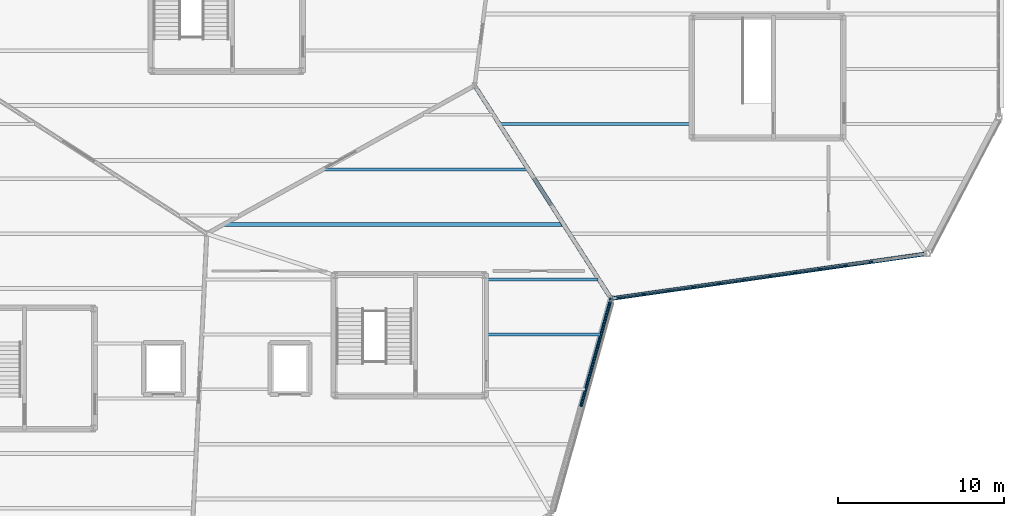
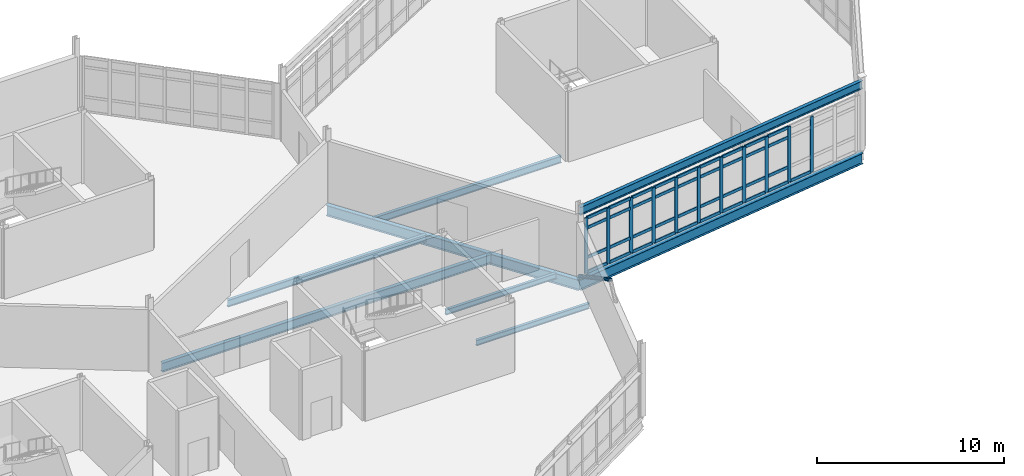
# One storey, part 63 of 114: 49 members, 8 beams, 1 element without a shape of its own.
"""IFC4 building model written with IfcOpenShell, lengths in metres."""

from ifc_helpers import new_model, si_unit, direction, frame, origin, origin_2d, place, context, subcontext, project, spatial, rectangle, hollow_circle, i_section, extrude, material, material_profile, profile_set, type_object, element, aggregate, save


model = new_model("IFC4")

# Units and contexts
model_context = context("Model", 3, precision=1e-05, world=origin(), true_north=direction((0.0, 1.0)))
body_context = subcontext(model_context, "Body", "Model", "MODEL_VIEW")
ifc_project = project(units=[si_unit("LENGTHUNIT", "METRE"), si_unit("AREAUNIT", "SQUARE_METRE"), si_unit("VOLUMEUNIT", "CUBIC_METRE"), si_unit("PLANEANGLEUNIT", "RADIAN"), si_unit("MASSUNIT", "GRAM", prefix="KILO")], contexts=[model_context])

# Site, building, storey
site_placement = place(None, origin())
site = spatial("IfcSite", under=ifc_project, at=site_placement, CompositionType="ELEMENT")
building_placement = place(site_placement, origin())
building = spatial("IfcBuilding", under=site, at=building_placement, Name="Tameran Prism Museum", CompositionType="ELEMENT")
storey_placement = place(building_placement, frame((0.0, 0.0, 10.199951171875)))
storey = spatial("IfcBuildingStorey", under=building, at=storey_placement, Name="L02", CompositionType="ELEMENT", Elevation=10.199951171875)

# Beams
ifc_material_1 = material(Name="Steel Grade 300PLUS (300 MPa)", Category="steel")
ifc_material_profile_1 = material_profile(ifc_material_1, i_section(OverallWidth=0.172119140625, OverallDepth=0.35888671875, WebThickness=0.008056640625, FlangeThickness=0.012939453125, FilletRadius=0.011474609375, at=origin_2d()))
ifc_profile_set_1 = profile_set([ifc_material_profile_1])
beam_type_1 = type_object("IfcBeamType", Name="BM-J360A", PredefinedType="JOIST", material=ifc_profile_set_1)
beam_1_placement = place(storey_placement, frame((135.47998046875, 86.35009765625, -0.37939453125), z_axis=(1.0, 0.0, 0.0), x_axis=(0.0, 1.0, 0.0)))
element("IfcBeam", 1, at=beam_1_placement, inside=storey, type_object=beam_type_1, Name="Floor Beam BM-0828", PredefinedType="JOIST", context=body_context, shape_type="SweptSolid", body=[
    extrude(i_section(OverallWidth=0.172119140625, OverallDepth=0.35888671875, WebThickness=0.008056640625, FlangeThickness=0.012939453125, FilletRadius=0.011474609375, at=origin_2d()), origin(), (0.0, 0.0, 1.0), 6.8359375),
])
ifc_material_2 = material(Name="Steel Grade 300PLUS (300 MPa)", Category="steel")
ifc_material_profile_2 = material_profile(ifc_material_2, i_section(OverallWidth=0.1708984375, OverallDepth=0.35595703125, WebThickness=0.00732421875, FlangeThickness=0.011474609375, FilletRadius=0.011474609375, at=origin_2d()))
ifc_profile_set_2 = profile_set([ifc_material_profile_2])
beam_type_2 = type_object("IfcBeamType", Name="BM-J360B", PredefinedType="JOIST", material=ifc_profile_set_2)
beam_2_placement = place(storey_placement, frame((135.47998046875, 83.050048828125, -0.3779296875), z_axis=(1.0, 0.0, 0.0), x_axis=(0.0, 1.0, 0.0)))
element("IfcBeam", 2, at=beam_2_placement, inside=storey, type_object=beam_type_2, Name="Floor Beam BM-0826", PredefinedType="JOIST", context=body_context, shape_type="SweptSolid", body=[
    extrude(i_section(OverallWidth=0.1708984375, OverallDepth=0.35595703125, WebThickness=0.00732421875, FlangeThickness=0.011474609375, FilletRadius=0.011474609375, at=origin_2d()), origin(), (0.0, 0.0, 1.0), 6.97802734375),
])
ifc_material_3 = material(Name="Steel Grade 300PLUS (300 MPa)", Category="steel")
ifc_material_profile_3 = material_profile(ifc_material_3, i_section(OverallWidth=0.18994140625, OverallDepth=0.4541015625, WebThickness=0.008544921875, FlangeThickness=0.0126953125, FilletRadius=0.011474609375, at=origin_2d()))
ifc_profile_set_3 = profile_set([ifc_material_profile_3])
beam_type_3 = type_object("IfcBeamType", Name="BM-J460B", PredefinedType="JOIST", material=ifc_profile_set_3)
beam_3_placement = place(storey_placement, frame((125.846923828125, 92.949951171875, -0.427001953125), z_axis=(1.0, 0.0, 0.0), x_axis=(0.0, 1.0, 0.0)))
element("IfcBeam", 3, at=beam_3_placement, inside=storey, type_object=beam_type_3, Name="Floor Beam BM-0830", PredefinedType="JOIST", context=body_context, shape_type="SweptSolid", body=[
    extrude(i_section(OverallWidth=0.18994140625, OverallDepth=0.4541015625, WebThickness=0.008544921875, FlangeThickness=0.0126953125, FilletRadius=0.011474609375, at=origin_2d()), origin(), (0.0, 0.0, 1.0), 12.240966796875),
])
beam_4_placement = place(storey_placement, frame((136.4208984375, 95.699951171875, -0.427001953125), z_axis=(1.0, 0.0, 0.0), x_axis=(0.0, 1.0, 0.0)))
element("IfcBeam", 4, at=beam_4_placement, inside=storey, type_object=beam_type_3, Name="Floor Beam BM-0843", PredefinedType="JOIST", context=body_context, shape_type="SweptSolid", body=[
    extrude(i_section(OverallWidth=0.18994140625, OverallDepth=0.4541015625, WebThickness=0.008544921875, FlangeThickness=0.0126953125, FilletRadius=0.011474609375, at=origin_2d()), origin(), (0.0, 0.0, 1.0), 11.59912109375),
])
ifc_material_4 = material(Name="Steel Grade 300PLUS (300 MPa)", Category="steel")
ifc_material_profile_4 = material_profile(ifc_material_4, i_section(OverallWidth=0.208984375, OverallDepth=0.528076171875, WebThickness=0.009521484375, FlangeThickness=0.01318359375, FilletRadius=0.013916015625, at=origin_2d()))
ifc_profile_set_4 = profile_set([ifc_material_profile_4])
beam_type_4 = type_object("IfcBeamType", Name="BM-SP530B", PredefinedType="SPANDREL", material=ifc_profile_set_4)
beam_5_placement = place(storey_placement, frame((143.10009765625, 85.199951171875, 4.256103515625), z_axis=(0.990053795421, 0.140689310798, 0.0), x_axis=(-0.140689310798, 0.990053795421, 0.0)))
element("IfcBeam", 5, at=beam_5_placement, inside=storey, type_object=beam_type_4, Name="Roof Ring Beam RB-0674", PredefinedType="SPANDREL", context=body_context, shape_type="SweptSolid", body=[
    extrude(i_section(OverallWidth=0.208984375, OverallDepth=0.528076171875, WebThickness=0.009521484375, FlangeThickness=0.01318359375, FilletRadius=0.013916015625, at=origin_2d()), origin(), (0.0, 0.0, 1.0), 19.19091796875),
])
ifc_material_5 = material(Name="Steel Grade 350 (350 MPa)", Category="steel")
ifc_material_profile_5 = material_profile(ifc_material_5, i_section(OverallWidth=0.25, OverallDepth=0.699951171875, WebThickness=0.010009765625, FlangeThickness=0.02001953125, at=origin_2d()))
ifc_profile_set_5 = profile_set([ifc_material_profile_5])
beam_type_5 = type_object("IfcBeamType", Name="BM-SP700", PredefinedType="SPANDREL", material=ifc_profile_set_5)
beam_6_placement = place(storey_placement, frame((143.10009765625, 85.199951171875, -0.550048828125), z_axis=(-0.539434641352, 0.842027474439, 0.0), x_axis=(-0.842027474439, -0.539434641352, 0.0)))
element("IfcBeam", 6, at=beam_6_placement, inside=storey, type_object=beam_type_5, Name="Perimeter Spandrel SP-0662", PredefinedType="SPANDREL", context=body_context, shape_type="SweptSolid", body=[
    extrude(i_section(OverallWidth=0.25, OverallDepth=0.699951171875, WebThickness=0.010009765625, FlangeThickness=0.02001953125, at=origin_2d()), origin(), (0.0, 0.0, 1.0), 15.201416015625),
])
beam_7_placement = place(storey_placement, frame((143.10009765625, 85.199951171875, -0.550048828125), z_axis=(0.990053795421, 0.140689310798, 0.0), x_axis=(-0.140689310798, 0.990053795421, 0.0)))
element("IfcBeam", 7, at=beam_7_placement, inside=storey, type_object=beam_type_5, Name="Perimeter Spandrel SP-0669", PredefinedType="SPANDREL", context=body_context, shape_type="SweptSolid", body=[
    extrude(i_section(OverallWidth=0.25, OverallDepth=0.699951171875, WebThickness=0.010009765625, FlangeThickness=0.02001953125, at=origin_2d()), origin(), (0.0, 0.0, 1.0), 19.19091796875),
])
ifc_material_6 = material(Name="Steel Grade 300PLUS (300 MPa)", Category="steel")
ifc_material_profile_6 = material_profile(ifc_material_6, i_section(OverallWidth=0.22802734375, OverallDepth=0.60693359375, WebThickness=0.01123046875, FlangeThickness=0.017333984375, FilletRadius=0.013916015625, at=origin_2d()))
ifc_profile_set_6 = profile_set([ifc_material_profile_6])
beam_type_6 = type_object("IfcBeamType", Name="BM-UB610B", PredefinedType="BEAM", material=ifc_profile_set_6)
beam_8_placement = place(storey_placement, frame((119.8779296875, 89.64990234375, -0.50341796875), z_axis=(1.0, 0.0, 0.0), x_axis=(0.0, 1.0, 0.0)))
element("IfcBeam", 8, at=beam_8_placement, inside=storey, type_object=beam_type_6, Name="Floor Beam BM-0829", PredefinedType="BEAM", context=body_context, shape_type="SweptSolid", body=[
    extrude(i_section(OverallWidth=0.22802734375, OverallDepth=0.60693359375, WebThickness=0.01123046875, FlangeThickness=0.017333984375, FilletRadius=0.013916015625, at=origin_2d()), origin(), (0.0, 0.0, 1.0), 20.323974609375),
])

# Curtain wall, members
ifc_material_7 = material(Name="Anodised Aluminium 6063-T6 and Cyclone Solar Glass", Category="aluminium")
curtain_wall_type = type_object("IfcCurtainWallType", Name="CW-FAC-1843x362", PredefinedType="USERDEFINED", material=ifc_material_7)
curtain_wall_placement = place(storey_placement, origin())
curtain_wall = element("IfcCurtainWall", 9, at=curtain_wall_placement, inside=storey, type_object=curtain_wall_type, Name="Unitised Curtain Wall CW-102", ObjectType="UNITISED CURTAIN WALL", PredefinedType="USERDEFINED")
ifc_material_8 = material(Name="Anodised Aluminium Alloy 6063-T6", Category="aluminium")
ifc_material_profile_7 = material_profile(ifc_material_8, rectangle(XDim=0.080078125, YDim=0.219970703125, at=origin_2d()))
ifc_profile_set_7 = profile_set([ifc_material_profile_7])
member_type_1 = type_object("IfcMemberType", Name="CW-MUL-D", PredefinedType="MULLION", material=ifc_profile_set_7)
member_1_placement = place(storey_placement, frame((158.7119140625, 87.418701171875, 0.0), z_axis=(0.0, 0.0, 1.0), x_axis=(0.1407452685, -0.990045842067, 0.0)))
member_1 = element("IfcMember", 10, at=member_1_placement, type_object=member_type_1, Name="CW-102 mullion 3", PredefinedType="MULLION", context=body_context, shape_type="SweptSolid", body=[
    extrude(rectangle(XDim=0.080078125, YDim=0.219970703125, at=origin_2d()), origin(), (0.0, 0.0, 1.0), 3.6201171875),
])
member_2_placement = place(storey_placement, frame((157.191162109375, 87.202392578125, 0.0), z_axis=(0.0, 0.0, 1.0), x_axis=(0.1407452685, -0.990045842067, 0.0)))
member_2 = element("IfcMember", 11, at=member_2_placement, type_object=member_type_1, Name="CW-102 mullion 4", PredefinedType="MULLION", context=body_context, shape_type="SweptSolid", body=[
    extrude(rectangle(XDim=0.080078125, YDim=0.219970703125, at=origin_2d()), origin(), (0.0, 0.0, 1.0), 3.6201171875),
])
member_3_placement = place(storey_placement, frame((155.670654296875, 86.986328125, 0.0), z_axis=(0.0, 0.0, 1.0), x_axis=(0.1407452685, -0.990045842067, 0.0)))
member_3 = element("IfcMember", 12, at=member_3_placement, type_object=member_type_1, Name="CW-102 mullion 5", PredefinedType="MULLION", context=body_context, shape_type="SweptSolid", body=[
    extrude(rectangle(XDim=0.080078125, YDim=0.219970703125, at=origin_2d()), origin(), (0.0, 0.0, 1.0), 3.6201171875),
])
member_4_placement = place(storey_placement, frame((154.150146484375, 86.770263671875, 0.0), z_axis=(0.0, 0.0, 1.0), x_axis=(0.1407452685, -0.990045842067, 0.0)))
member_4 = element("IfcMember", 13, at=member_4_placement, type_object=member_type_1, Name="CW-102 mullion 6", PredefinedType="MULLION", context=body_context, shape_type="SweptSolid", body=[
    extrude(rectangle(XDim=0.080078125, YDim=0.219970703125, at=origin_2d()), origin(), (0.0, 0.0, 1.0), 3.6201171875),
])
member_5_placement = place(storey_placement, frame((152.62939453125, 86.553955078125, 0.0), z_axis=(0.0, 0.0, 1.0), x_axis=(0.1407452685, -0.990045842067, 0.0)))
member_5 = element("IfcMember", 14, at=member_5_placement, type_object=member_type_1, Name="CW-102 mullion 7", PredefinedType="MULLION", context=body_context, shape_type="SweptSolid", body=[
    extrude(rectangle(XDim=0.080078125, YDim=0.219970703125, at=origin_2d()), origin(), (0.0, 0.0, 1.0), 3.6201171875),
])
member_6_placement = place(storey_placement, frame((151.10888671875, 86.337890625, 0.0), z_axis=(0.0, 0.0, 1.0), x_axis=(0.1407452685, -0.990045842067, 0.0)))
member_6 = element("IfcMember", 15, at=member_6_placement, type_object=member_type_1, Name="CW-102 mullion 8", PredefinedType="MULLION", context=body_context, shape_type="SweptSolid", body=[
    extrude(rectangle(XDim=0.080078125, YDim=0.219970703125, at=origin_2d()), origin(), (0.0, 0.0, 1.0), 3.6201171875),
])
member_7_placement = place(storey_placement, frame((149.58837890625, 86.12158203125, 0.0), z_axis=(0.0, 0.0, 1.0), x_axis=(0.1407452685, -0.990045842067, 0.0)))
member_7 = element("IfcMember", 16, at=member_7_placement, type_object=member_type_1, Name="CW-102 mullion 9", PredefinedType="MULLION", context=body_context, shape_type="SweptSolid", body=[
    extrude(rectangle(XDim=0.080078125, YDim=0.219970703125, at=origin_2d()), origin(), (0.0, 0.0, 1.0), 3.6201171875),
])
member_8_placement = place(storey_placement, frame((148.06787109375, 85.905517578125, 0.0), z_axis=(0.0, 0.0, 1.0), x_axis=(0.1407452685, -0.990045842067, 0.0)))
member_8 = element("IfcMember", 17, at=member_8_placement, type_object=member_type_1, Name="CW-102 mullion 10", PredefinedType="MULLION", context=body_context, shape_type="SweptSolid", body=[
    extrude(rectangle(XDim=0.080078125, YDim=0.219970703125, at=origin_2d()), origin(), (0.0, 0.0, 1.0), 3.6201171875),
])
member_9_placement = place(storey_placement, frame((146.547119140625, 85.689453125, 0.0), z_axis=(0.0, 0.0, 1.0), x_axis=(0.1407452685, -0.990045842067, 0.0)))
member_9 = element("IfcMember", 18, at=member_9_placement, type_object=member_type_1, Name="CW-102 mullion 11", PredefinedType="MULLION", context=body_context, shape_type="SweptSolid", body=[
    extrude(rectangle(XDim=0.080078125, YDim=0.219970703125, at=origin_2d()), origin(), (0.0, 0.0, 1.0), 3.6201171875),
])
member_10_placement = place(storey_placement, frame((145.026611328125, 85.47314453125, 0.0), z_axis=(0.0, 0.0, 1.0), x_axis=(0.1407452685, -0.990045842067, 0.0)))
member_10 = element("IfcMember", 19, at=member_10_placement, type_object=member_type_1, Name="CW-102 mullion 12", PredefinedType="MULLION", context=body_context, shape_type="SweptSolid", body=[
    extrude(rectangle(XDim=0.080078125, YDim=0.219970703125, at=origin_2d()), origin(), (0.0, 0.0, 1.0), 3.6201171875),
])
member_11_placement = place(storey_placement, frame((143.545654296875, 85.2626953125, 0.0), z_axis=(0.0, 0.0, 1.0), x_axis=(0.1407452685, -0.990045842067, 0.0)))
member_11 = element("IfcMember", 20, at=member_11_placement, type_object=member_type_1, Name="CW-102 mullion 13", PredefinedType="MULLION", context=body_context, shape_type="SweptSolid", body=[
    extrude(rectangle(XDim=0.080078125, YDim=0.219970703125, at=origin_2d()), origin(), (0.0, 0.0, 1.0), 3.6201171875),
])
ifc_material_9 = material(Name="Anodised Aluminium Alloy 6063-T6", Category="aluminium")
ifc_material_profile_8 = material_profile(ifc_material_9, rectangle(XDim=0.080078125, YDim=0.195068359375, at=origin_2d()))
ifc_profile_set_8 = profile_set([ifc_material_profile_8])
member_type_2 = type_object("IfcMemberType", Name="CW-TRN-D", PredefinedType="USERDEFINED", material=ifc_profile_set_8)
member_12_placement = place(storey_placement, frame((158.672119140625, 87.4130859375, 0.0400390625), z_axis=(-0.990026495634, -0.140881290248, 0.0), x_axis=(0.140881290248, -0.990026495634, 0.0)))
member_12 = element("IfcMember", 21, at=member_12_placement, type_object=member_type_2, Name="CW-102 transom 3.1", ObjectType="TRANSOM", PredefinedType="USERDEFINED", context=body_context, shape_type="SweptSolid", body=[
    extrude(rectangle(XDim=0.080078125, YDim=0.195068359375, at=origin_2d()), origin(), (0.0, 0.0, 1.0), 1.45556640625),
])
member_13_placement = place(storey_placement, frame((157.151611328125, 87.19677734375, 0.0400390625), z_axis=(-0.990053195139, -0.140693535014, 0.0), x_axis=(0.140693535014, -0.990053195139, 0.0)))
member_13 = element("IfcMember", 22, at=member_13_placement, type_object=member_type_2, Name="CW-102 transom 4.1", ObjectType="TRANSOM", PredefinedType="USERDEFINED", context=body_context, shape_type="SweptSolid", body=[
    extrude(rectangle(XDim=0.080078125, YDim=0.195068359375, at=origin_2d()), origin(), (0.0, 0.0, 1.0), 1.455810546875),
])
member_14_placement = place(storey_placement, frame((157.151611328125, 87.19677734375, 1.0), z_axis=(-0.990053195139, -0.140693535014, 0.0), x_axis=(0.140693535014, -0.990053195139, 0.0)))
member_14 = element("IfcMember", 23, at=member_14_placement, type_object=member_type_2, Name="CW-102 transom 4.2", ObjectType="TRANSOM", PredefinedType="USERDEFINED", context=body_context, shape_type="SweptSolid", body=[
    extrude(rectangle(XDim=0.080078125, YDim=0.195068359375, at=origin_2d()), origin(), (0.0, 0.0, 1.0), 1.455810546875),
])
member_15_placement = place(storey_placement, frame((157.151611328125, 87.19677734375, 2.93994140625), z_axis=(-0.990053195139, -0.140693535014, 0.0), x_axis=(0.140693535014, -0.990053195139, 0.0)))
member_15 = element("IfcMember", 24, at=member_15_placement, type_object=member_type_2, Name="CW-102 transom 4.3", ObjectType="TRANSOM", PredefinedType="USERDEFINED", context=body_context, shape_type="SweptSolid", body=[
    extrude(rectangle(XDim=0.080078125, YDim=0.195068359375, at=origin_2d()), origin(), (0.0, 0.0, 1.0), 1.455810546875),
])
member_16_placement = place(storey_placement, frame((157.151611328125, 87.19677734375, 3.580078125), z_axis=(-0.990053195139, -0.140693535014, 0.0), x_axis=(0.140693535014, -0.990053195139, 0.0)))
member_16 = element("IfcMember", 25, at=member_16_placement, type_object=member_type_2, Name="CW-102 transom 4.4", ObjectType="TRANSOM", PredefinedType="USERDEFINED", context=body_context, shape_type="SweptSolid", body=[
    extrude(rectangle(XDim=0.080078125, YDim=0.195068359375, at=origin_2d()), origin(), (0.0, 0.0, 1.0), 1.455810546875),
])
member_17_placement = place(storey_placement, frame((155.631103515625, 86.980712890625, 0.0400390625), z_axis=(-0.990053195139, -0.140693535014, 0.0), x_axis=(0.140693535014, -0.990053195139, 0.0)))
member_17 = element("IfcMember", 26, at=member_17_placement, type_object=member_type_2, Name="CW-102 transom 5.1", ObjectType="TRANSOM", PredefinedType="USERDEFINED", context=body_context, shape_type="SweptSolid", body=[
    extrude(rectangle(XDim=0.080078125, YDim=0.195068359375, at=origin_2d()), origin(), (0.0, 0.0, 1.0), 1.455810546875),
])
member_18_placement = place(storey_placement, frame((155.631103515625, 86.980712890625, 1.0), z_axis=(-0.990053195139, -0.140693535014, 0.0), x_axis=(0.140693535014, -0.990053195139, 0.0)))
member_18 = element("IfcMember", 27, at=member_18_placement, type_object=member_type_2, Name="CW-102 transom 5.2", ObjectType="TRANSOM", PredefinedType="USERDEFINED", context=body_context, shape_type="SweptSolid", body=[
    extrude(rectangle(XDim=0.080078125, YDim=0.195068359375, at=origin_2d()), origin(), (0.0, 0.0, 1.0), 1.455810546875),
])
member_19_placement = place(storey_placement, frame((155.631103515625, 86.980712890625, 2.93994140625), z_axis=(-0.990053195139, -0.140693535014, 0.0), x_axis=(0.140693535014, -0.990053195139, 0.0)))
member_19 = element("IfcMember", 28, at=member_19_placement, type_object=member_type_2, Name="CW-102 transom 5.3", ObjectType="TRANSOM", PredefinedType="USERDEFINED", context=body_context, shape_type="SweptSolid", body=[
    extrude(rectangle(XDim=0.080078125, YDim=0.195068359375, at=origin_2d()), origin(), (0.0, 0.0, 1.0), 1.455810546875),
])
member_20_placement = place(storey_placement, frame((155.631103515625, 86.980712890625, 3.580078125), z_axis=(-0.990053195139, -0.140693535014, 0.0), x_axis=(0.140693535014, -0.990053195139, 0.0)))
member_20 = element("IfcMember", 29, at=member_20_placement, type_object=member_type_2, Name="CW-102 transom 5.4", ObjectType="TRANSOM", PredefinedType="USERDEFINED", context=body_context, shape_type="SweptSolid", body=[
    extrude(rectangle(XDim=0.080078125, YDim=0.195068359375, at=origin_2d()), origin(), (0.0, 0.0, 1.0), 1.455810546875),
])
member_21_placement = place(storey_placement, frame((154.110595703125, 86.7646484375, 0.0400390625), z_axis=(-0.990029823552, -0.140857901725, 0.0), x_axis=(0.140857901725, -0.990029823552, 0.0)))
member_21 = element("IfcMember", 30, at=member_21_placement, type_object=member_type_2, Name="CW-102 transom 6.1", ObjectType="TRANSOM", PredefinedType="USERDEFINED", context=body_context, shape_type="SweptSolid", body=[
    extrude(rectangle(XDim=0.080078125, YDim=0.195068359375, at=origin_2d()), origin(), (0.0, 0.0, 1.0), 1.455810546875),
])
member_22_placement = place(storey_placement, frame((154.110595703125, 86.7646484375, 1.0), z_axis=(-0.990029823552, -0.140857901725, 0.0), x_axis=(0.140857901725, -0.990029823552, 0.0)))
member_22 = element("IfcMember", 31, at=member_22_placement, type_object=member_type_2, Name="CW-102 transom 6.2", ObjectType="TRANSOM", PredefinedType="USERDEFINED", context=body_context, shape_type="SweptSolid", body=[
    extrude(rectangle(XDim=0.080078125, YDim=0.195068359375, at=origin_2d()), origin(), (0.0, 0.0, 1.0), 1.455810546875),
])
member_23_placement = place(storey_placement, frame((154.110595703125, 86.7646484375, 2.93994140625), z_axis=(-0.990029823552, -0.140857901725, 0.0), x_axis=(0.140857901725, -0.990029823552, 0.0)))
member_23 = element("IfcMember", 32, at=member_23_placement, type_object=member_type_2, Name="CW-102 transom 6.3", ObjectType="TRANSOM", PredefinedType="USERDEFINED", context=body_context, shape_type="SweptSolid", body=[
    extrude(rectangle(XDim=0.080078125, YDim=0.195068359375, at=origin_2d()), origin(), (0.0, 0.0, 1.0), 1.455810546875),
])
member_24_placement = place(storey_placement, frame((154.110595703125, 86.7646484375, 3.580078125), z_axis=(-0.990029823552, -0.140857901725, 0.0), x_axis=(0.140857901725, -0.990029823552, 0.0)))
member_24 = element("IfcMember", 33, at=member_24_placement, type_object=member_type_2, Name="CW-102 transom 6.4", ObjectType="TRANSOM", PredefinedType="USERDEFINED", context=body_context, shape_type="SweptSolid", body=[
    extrude(rectangle(XDim=0.080078125, YDim=0.195068359375, at=origin_2d()), origin(), (0.0, 0.0, 1.0), 1.455810546875),
])
member_25_placement = place(storey_placement, frame((152.58984375, 86.54833984375, 0.0400390625), z_axis=(-0.990053195139, -0.140693535014, 0.0), x_axis=(0.140693535014, -0.990053195139, 0.0)))
member_25 = element("IfcMember", 34, at=member_25_placement, type_object=member_type_2, Name="CW-102 transom 7.1", ObjectType="TRANSOM", PredefinedType="USERDEFINED", context=body_context, shape_type="SweptSolid", body=[
    extrude(rectangle(XDim=0.080078125, YDim=0.195068359375, at=origin_2d()), origin(), (0.0, 0.0, 1.0), 1.455810546875),
])
member_26_placement = place(storey_placement, frame((152.58984375, 86.54833984375, 1.0), z_axis=(-0.990053195139, -0.140693535014, 0.0), x_axis=(0.140693535014, -0.990053195139, 0.0)))
member_26 = element("IfcMember", 35, at=member_26_placement, type_object=member_type_2, Name="CW-102 transom 7.2", ObjectType="TRANSOM", PredefinedType="USERDEFINED", context=body_context, shape_type="SweptSolid", body=[
    extrude(rectangle(XDim=0.080078125, YDim=0.195068359375, at=origin_2d()), origin(), (0.0, 0.0, 1.0), 1.455810546875),
])
member_27_placement = place(storey_placement, frame((152.58984375, 86.54833984375, 2.93994140625), z_axis=(-0.990053195139, -0.140693535014, 0.0), x_axis=(0.140693535014, -0.990053195139, 0.0)))
member_27 = element("IfcMember", 36, at=member_27_placement, type_object=member_type_2, Name="CW-102 transom 7.3", ObjectType="TRANSOM", PredefinedType="USERDEFINED", context=body_context, shape_type="SweptSolid", body=[
    extrude(rectangle(XDim=0.080078125, YDim=0.195068359375, at=origin_2d()), origin(), (0.0, 0.0, 1.0), 1.455810546875),
])
member_28_placement = place(storey_placement, frame((152.58984375, 86.54833984375, 3.580078125), z_axis=(-0.990053195139, -0.140693535014, 0.0), x_axis=(0.140693535014, -0.990053195139, 0.0)))
member_28 = element("IfcMember", 37, at=member_28_placement, type_object=member_type_2, Name="CW-102 transom 7.4", ObjectType="TRANSOM", PredefinedType="USERDEFINED", context=body_context, shape_type="SweptSolid", body=[
    extrude(rectangle(XDim=0.080078125, YDim=0.195068359375, at=origin_2d()), origin(), (0.0, 0.0, 1.0), 1.455810546875),
])
member_29_placement = place(storey_placement, frame((151.0693359375, 86.332275390625, 0.0400390625), z_axis=(-0.990029823552, -0.140857901725, 0.0), x_axis=(0.140857901725, -0.990029823552, 0.0)))
member_29 = element("IfcMember", 38, at=member_29_placement, type_object=member_type_2, Name="CW-102 transom 8.1", ObjectType="TRANSOM", PredefinedType="USERDEFINED", context=body_context, shape_type="SweptSolid", body=[
    extrude(rectangle(XDim=0.080078125, YDim=0.195068359375, at=origin_2d()), origin(), (0.0, 0.0, 1.0), 1.455810546875),
])
member_30_placement = place(storey_placement, frame((151.0693359375, 86.332275390625, 1.0), z_axis=(-0.990029823552, -0.140857901725, 0.0), x_axis=(0.140857901725, -0.990029823552, 0.0)))
member_30 = element("IfcMember", 39, at=member_30_placement, type_object=member_type_2, Name="CW-102 transom 8.2", ObjectType="TRANSOM", PredefinedType="USERDEFINED", context=body_context, shape_type="SweptSolid", body=[
    extrude(rectangle(XDim=0.080078125, YDim=0.195068359375, at=origin_2d()), origin(), (0.0, 0.0, 1.0), 1.455810546875),
])
member_31_placement = place(storey_placement, frame((151.0693359375, 86.332275390625, 2.93994140625), z_axis=(-0.990029823552, -0.140857901725, 0.0), x_axis=(0.140857901725, -0.990029823552, 0.0)))
member_31 = element("IfcMember", 40, at=member_31_placement, type_object=member_type_2, Name="CW-102 transom 8.3", ObjectType="TRANSOM", PredefinedType="USERDEFINED", context=body_context, shape_type="SweptSolid", body=[
    extrude(rectangle(XDim=0.080078125, YDim=0.195068359375, at=origin_2d()), origin(), (0.0, 0.0, 1.0), 1.455810546875),
])
member_32_placement = place(storey_placement, frame((151.0693359375, 86.332275390625, 3.580078125), z_axis=(-0.990029823552, -0.140857901725, 0.0), x_axis=(0.140857901725, -0.990029823552, 0.0)))
member_32 = element("IfcMember", 41, at=member_32_placement, type_object=member_type_2, Name="CW-102 transom 8.4", ObjectType="TRANSOM", PredefinedType="USERDEFINED", context=body_context, shape_type="SweptSolid", body=[
    extrude(rectangle(XDim=0.080078125, YDim=0.195068359375, at=origin_2d()), origin(), (0.0, 0.0, 1.0), 1.455810546875),
])
member_33_placement = place(storey_placement, frame((149.548828125, 86.115966796875, 0.0400390625), z_axis=(-0.990053195139, -0.140693535014, 0.0), x_axis=(0.140693535014, -0.990053195139, 0.0)))
member_33 = element("IfcMember", 42, at=member_33_placement, type_object=member_type_2, Name="CW-102 transom 9.1", ObjectType="TRANSOM", PredefinedType="USERDEFINED", context=body_context, shape_type="SweptSolid", body=[
    extrude(rectangle(XDim=0.080078125, YDim=0.195068359375, at=origin_2d()), origin(), (0.0, 0.0, 1.0), 1.455810546875),
])
member_34_placement = place(storey_placement, frame((149.548828125, 86.115966796875, 1.0), z_axis=(-0.990053195139, -0.140693535014, 0.0), x_axis=(0.140693535014, -0.990053195139, 0.0)))
member_34 = element("IfcMember", 43, at=member_34_placement, type_object=member_type_2, Name="CW-102 transom 9.2", ObjectType="TRANSOM", PredefinedType="USERDEFINED", context=body_context, shape_type="SweptSolid", body=[
    extrude(rectangle(XDim=0.080078125, YDim=0.195068359375, at=origin_2d()), origin(), (0.0, 0.0, 1.0), 1.455810546875),
])
member_35_placement = place(storey_placement, frame((149.548828125, 86.115966796875, 2.93994140625), z_axis=(-0.990053195139, -0.140693535014, 0.0), x_axis=(0.140693535014, -0.990053195139, 0.0)))
member_35 = element("IfcMember", 44, at=member_35_placement, type_object=member_type_2, Name="CW-102 transom 9.3", ObjectType="TRANSOM", PredefinedType="USERDEFINED", context=body_context, shape_type="SweptSolid", body=[
    extrude(rectangle(XDim=0.080078125, YDim=0.195068359375, at=origin_2d()), origin(), (0.0, 0.0, 1.0), 1.455810546875),
])
member_36_placement = place(storey_placement, frame((149.548828125, 86.115966796875, 3.580078125), z_axis=(-0.990053195139, -0.140693535014, 0.0), x_axis=(0.140693535014, -0.990053195139, 0.0)))
member_36 = element("IfcMember", 45, at=member_36_placement, type_object=member_type_2, Name="CW-102 transom 9.4", ObjectType="TRANSOM", PredefinedType="USERDEFINED", context=body_context, shape_type="SweptSolid", body=[
    extrude(rectangle(XDim=0.080078125, YDim=0.195068359375, at=origin_2d()), origin(), (0.0, 0.0, 1.0), 1.455810546875),
])
member_37_placement = place(storey_placement, frame((148.028076171875, 85.89990234375, 0.0400390625), z_axis=(-0.990053195139, -0.140693535014, 0.0), x_axis=(0.140693535014, -0.990053195139, 0.0)))
member_37 = element("IfcMember", 46, at=member_37_placement, type_object=member_type_2, Name="CW-102 transom 10.1", ObjectType="TRANSOM", PredefinedType="USERDEFINED", context=body_context, shape_type="SweptSolid", body=[
    extrude(rectangle(XDim=0.080078125, YDim=0.195068359375, at=origin_2d()), origin(), (0.0, 0.0, 1.0), 1.455810546875),
])
member_38_placement = place(storey_placement, frame((148.028076171875, 85.89990234375, 1.0), z_axis=(-0.990053195139, -0.140693535014, 0.0), x_axis=(0.140693535014, -0.990053195139, 0.0)))
member_38 = element("IfcMember", 47, at=member_38_placement, type_object=member_type_2, Name="CW-102 transom 10.2", ObjectType="TRANSOM", PredefinedType="USERDEFINED", context=body_context, shape_type="SweptSolid", body=[
    extrude(rectangle(XDim=0.080078125, YDim=0.195068359375, at=origin_2d()), origin(), (0.0, 0.0, 1.0), 1.455810546875),
])
member_39_placement = place(storey_placement, frame((148.028076171875, 85.89990234375, 2.93994140625), z_axis=(-0.990053195139, -0.140693535014, 0.0), x_axis=(0.140693535014, -0.990053195139, 0.0)))
member_39 = element("IfcMember", 48, at=member_39_placement, type_object=member_type_2, Name="CW-102 transom 10.3", ObjectType="TRANSOM", PredefinedType="USERDEFINED", context=body_context, shape_type="SweptSolid", body=[
    extrude(rectangle(XDim=0.080078125, YDim=0.195068359375, at=origin_2d()), origin(), (0.0, 0.0, 1.0), 1.455810546875),
])
member_40_placement = place(storey_placement, frame((148.028076171875, 85.89990234375, 3.580078125), z_axis=(-0.990053195139, -0.140693535014, 0.0), x_axis=(0.140693535014, -0.990053195139, 0.0)))
member_40 = element("IfcMember", 49, at=member_40_placement, type_object=member_type_2, Name="CW-102 transom 10.4", ObjectType="TRANSOM", PredefinedType="USERDEFINED", context=body_context, shape_type="SweptSolid", body=[
    extrude(rectangle(XDim=0.080078125, YDim=0.195068359375, at=origin_2d()), origin(), (0.0, 0.0, 1.0), 1.455810546875),
])
member_41_placement = place(storey_placement, frame((146.507568359375, 85.68359375, 0.0400390625), z_axis=(-0.990053195139, -0.140693535014, 0.0), x_axis=(0.140693535014, -0.990053195139, 0.0)))
member_41 = element("IfcMember", 50, at=member_41_placement, type_object=member_type_2, Name="CW-102 transom 11.1", ObjectType="TRANSOM", PredefinedType="USERDEFINED", context=body_context, shape_type="SweptSolid", body=[
    extrude(rectangle(XDim=0.080078125, YDim=0.195068359375, at=origin_2d()), origin(), (0.0, 0.0, 1.0), 1.455810546875),
])
member_42_placement = place(storey_placement, frame((146.507568359375, 85.68359375, 1.0), z_axis=(-0.990053195139, -0.140693535014, 0.0), x_axis=(0.140693535014, -0.990053195139, 0.0)))
member_42 = element("IfcMember", 51, at=member_42_placement, type_object=member_type_2, Name="CW-102 transom 11.2", ObjectType="TRANSOM", PredefinedType="USERDEFINED", context=body_context, shape_type="SweptSolid", body=[
    extrude(rectangle(XDim=0.080078125, YDim=0.195068359375, at=origin_2d()), origin(), (0.0, 0.0, 1.0), 1.455810546875),
])
member_43_placement = place(storey_placement, frame((146.507568359375, 85.68359375, 2.93994140625), z_axis=(-0.990053195139, -0.140693535014, 0.0), x_axis=(0.140693535014, -0.990053195139, 0.0)))
member_43 = element("IfcMember", 52, at=member_43_placement, type_object=member_type_2, Name="CW-102 transom 11.3", ObjectType="TRANSOM", PredefinedType="USERDEFINED", context=body_context, shape_type="SweptSolid", body=[
    extrude(rectangle(XDim=0.080078125, YDim=0.195068359375, at=origin_2d()), origin(), (0.0, 0.0, 1.0), 1.455810546875),
])
member_44_placement = place(storey_placement, frame((146.507568359375, 85.68359375, 3.580078125), z_axis=(-0.990053195139, -0.140693535014, 0.0), x_axis=(0.140693535014, -0.990053195139, 0.0)))
member_44 = element("IfcMember", 53, at=member_44_placement, type_object=member_type_2, Name="CW-102 transom 11.4", ObjectType="TRANSOM", PredefinedType="USERDEFINED", context=body_context, shape_type="SweptSolid", body=[
    extrude(rectangle(XDim=0.080078125, YDim=0.195068359375, at=origin_2d()), origin(), (0.0, 0.0, 1.0), 1.455810546875),
])
member_45_placement = place(storey_placement, frame((144.987060546875, 85.467529296875, 0.0400390625), z_axis=(-0.990052682564, -0.140697141932, 0.0), x_axis=(0.140697141932, -0.990052682564, 0.0)))
member_45 = element("IfcMember", 54, at=member_45_placement, type_object=member_type_2, Name="CW-102 transom 12.1", ObjectType="TRANSOM", PredefinedType="USERDEFINED", context=body_context, shape_type="SweptSolid", body=[
    extrude(rectangle(XDim=0.080078125, YDim=0.195068359375, at=origin_2d()), origin(), (0.0, 0.0, 1.0), 1.416015625),
])
member_46_placement = place(storey_placement, frame((144.987060546875, 85.467529296875, 1.0), z_axis=(-0.990052682564, -0.140697141932, 0.0), x_axis=(0.140697141932, -0.990052682564, 0.0)))
member_46 = element("IfcMember", 55, at=member_46_placement, type_object=member_type_2, Name="CW-102 transom 12.2", ObjectType="TRANSOM", PredefinedType="USERDEFINED", context=body_context, shape_type="SweptSolid", body=[
    extrude(rectangle(XDim=0.080078125, YDim=0.195068359375, at=origin_2d()), origin(), (0.0, 0.0, 1.0), 1.416015625),
])
member_47_placement = place(storey_placement, frame((144.987060546875, 85.467529296875, 2.93994140625), z_axis=(-0.990052682564, -0.140697141932, 0.0), x_axis=(0.140697141932, -0.990052682564, 0.0)))
member_47 = element("IfcMember", 56, at=member_47_placement, type_object=member_type_2, Name="CW-102 transom 12.3", ObjectType="TRANSOM", PredefinedType="USERDEFINED", context=body_context, shape_type="SweptSolid", body=[
    extrude(rectangle(XDim=0.080078125, YDim=0.195068359375, at=origin_2d()), origin(), (0.0, 0.0, 1.0), 1.416015625),
])
member_48_placement = place(storey_placement, frame((144.987060546875, 85.467529296875, 3.580078125), z_axis=(-0.990052682564, -0.140697141932, 0.0), x_axis=(0.140697141932, -0.990052682564, 0.0)))
member_48 = element("IfcMember", 57, at=member_48_placement, type_object=member_type_2, Name="CW-102 transom 12.4", ObjectType="TRANSOM", PredefinedType="USERDEFINED", context=body_context, shape_type="SweptSolid", body=[
    extrude(rectangle(XDim=0.080078125, YDim=0.195068359375, at=origin_2d()), origin(), (0.0, 0.0, 1.0), 1.416015625),
])
aggregate(curtain_wall, [member_1, member_2, member_3, member_4, member_5, member_6, member_7, member_8, member_9, member_10, member_11, member_12, member_13, member_14, member_15, member_16, member_17, member_18, member_19, member_20, member_21, member_22, member_23, member_24, member_25, member_26, member_27, member_28, member_29, member_30, member_31, member_32, member_33, member_34, member_35, member_36, member_37, member_38, member_39, member_40, member_41, member_42, member_43, member_44, member_45, member_46, member_47, member_48])

# Member
ifc_material_10 = material(Name="Steel Grade C350L0 (350 MPa)", Category="steel")
ifc_material_profile_9 = material_profile(ifc_material_10, hollow_circle(Radius=0.109619140625, WallThickness=0.00830078125, at=origin_2d()))
ifc_profile_set_9 = profile_set([ifc_material_profile_9])
member_type_3 = type_object("IfcMemberType", Name="MM-BR-CHS219", PredefinedType="BRACE", material=ifc_profile_set_9)
member_49_placement = place(storey_placement, frame((143.10009765625, 85.199951171875, 0.0), z_axis=(-0.226188795144, -0.810481727779, 0.540331377848), x_axis=(0.96319388659, -0.268807620494, 0.0)))
element("IfcMember", 58, at=member_49_placement, inside=storey, type_object=member_type_3, Name="Lateral Chevron Brace CBF-028", PredefinedType="BRACE", context=body_context, shape_type="SweptSolid", body=[
    extrude(hollow_circle(Radius=0.109619140625, WallThickness=0.00830078125, at=origin_2d()), origin(), (0.0, 0.0, 1.0), 7.958251953125),
])

save(model, "model.ifc")
